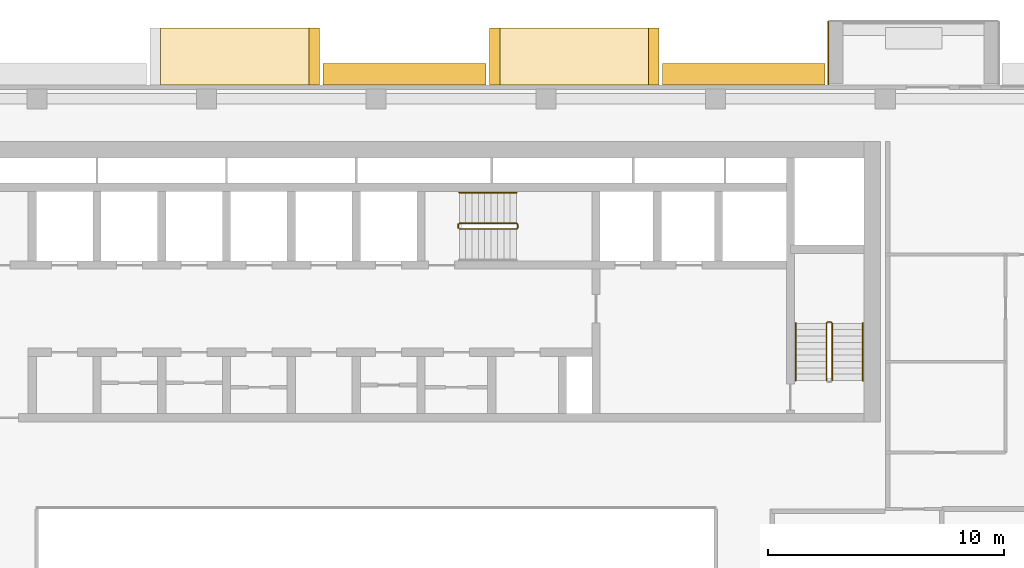
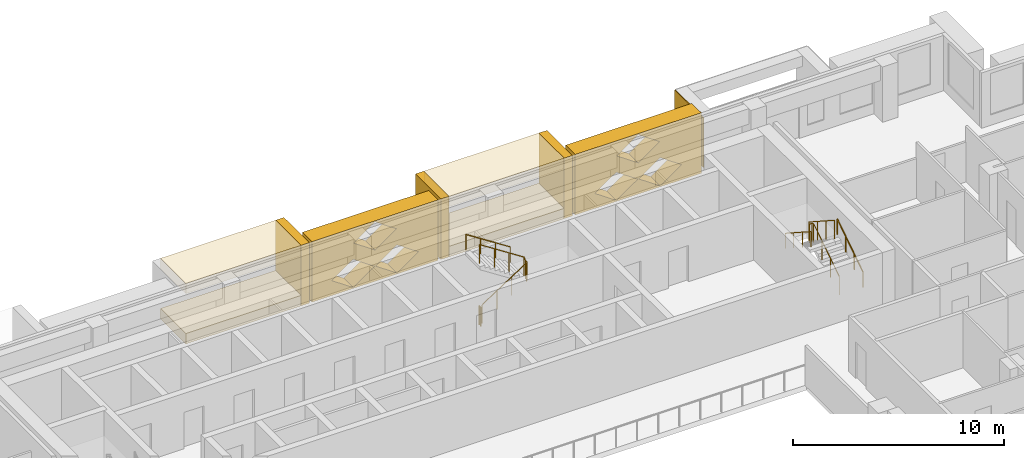
# One storey, part 19 of 20: 10 coverings, 6 railings.
"""IFC4 building model written with IfcOpenShell, lengths in metres."""

from ifc_helpers import new_model, si_unit, direction, frame, origin, origin_2d, place, context, subcontext, project, spatial, polyline, circle, outline, extrude, material, layer, layer_set, type_object, element, save


model = new_model("IFC4")

# Units and contexts
model_context = context("Model", 3, precision=1e-05, world=origin(), true_north=direction((0.0, 1.0)))
body_context = subcontext(model_context, "Body", "Model", "MODEL_VIEW")
ifc_project = project(units=[si_unit("LENGTHUNIT", "METRE"), si_unit("AREAUNIT", "SQUARE_METRE"), si_unit("VOLUMEUNIT", "CUBIC_METRE"), si_unit("PLANEANGLEUNIT", "RADIAN"), si_unit("MASSUNIT", "GRAM", prefix="KILO")], contexts=[model_context])

# Site, building, storey
site_placement = place(None, origin())
site = spatial("IfcSite", under=ifc_project, at=site_placement, CompositionType="ELEMENT")
building_placement = place(site_placement, origin())
building = spatial("IfcBuilding", under=site, at=building_placement, Name="Saffron Iwan Residences", CompositionType="ELEMENT")
storey_placement = place(building_placement, frame((0.0, 0.0, 164.0)))
storey = spatial("IfcBuildingStorey", under=building, at=storey_placement, Name="L43", CompositionType="ELEMENT", Elevation=164.0)

# Coverings
ifc_material_1 = material(Name="Precast concrete C40/50 white painted", Category="concrete")
ifc_layer = layer(ifc_material_1, 0.050048828125)
ifc_layer_set = layer_set([ifc_layer], Name="Precast concrete C40/50 white painted")
covering_type_1 = type_object("IfcCoveringType", Name="FRAME SKIN PRECAST WHITE 50", PredefinedType="CLADDING", material=ifc_layer_set)
covering_1_placement = place(storey_placement, origin())
element("IfcCovering", 1, at=covering_1_placement, inside=storey, type_object=covering_type_1, Name="Frame skin fin L43 F5-0b", PredefinedType="CLADDING", context=body_context, shape_type="SweptSolid", body=[
    extrude(outline(polyline([(69.60009765625, 83.10009765625), (69.550048828125, 83.10009765625), (69.550048828125, 80.39990234375), (69.60009765625, 80.39990234375), (69.60009765625, 83.10009765625)])), origin(), (0.0, 0.0, 1.0), 2.85009765625),
])
ifc_material_2 = material(Name="Precast concrete C40/50", Category="concrete")
covering_type_2 = type_object("IfcCoveringType", Name="OUTER SKIN LATTICE SCREEN", PredefinedType="CLADDING", material=ifc_material_2)
for number, where, z_axis, x_axis, name in (
    (2, (69.449951171875, 80.39990234375, -0.300048828125), (0.0, 1.0, 0.0), (-1.0, 0.0, 0.0), "OUTER SKIN lattice screen L43 F5.1"),
    (3, (55.050048828125, 80.39990234375, -0.300048828125), (0.0, 1.0, 0.0), (-1.0, 0.0, 0.0), "OUTER SKIN lattice screen L43 F5.2"),
):
    element("IfcCovering", number, at=place(storey_placement, frame(where, z_axis=z_axis, x_axis=x_axis)), inside=storey, type_object=covering_type_2, Name=name, PredefinedType="CLADDING", context=body_context, shape_type="SweptSolid", body=[
        extrude(outline(polyline([(0.0, 0.0), (6.89990234375, 0.0), (6.89990234375, 3.5), (0.0, 3.5), (0.0, 0.0)]), holes=[polyline([(1.070068359375, 0.875), (2.25, 0.06005859375), (3.429931640625, 0.875), (2.25, 1.68994140625), (1.070068359375, 0.875)]), polyline([(3.469970703125, 0.875), (4.64990234375, 0.06005859375), (5.830078125, 0.875), (4.64990234375, 1.68994140625), (3.469970703125, 0.875)]), polyline([(2.27001953125, 2.625), (3.449951171875, 1.81005859375), (4.6298828125, 2.625), (3.449951171875, 3.43994140625), (2.27001953125, 2.625)])]), origin(), (0.0, 0.0, 1.0), 0.900146484375),
    ])

# Railings
ifc_material_3 = material(Name="Steel S355", Category="steel")
railing_type_1 = type_object("IfcRailingType", Name="Stair guard 1100", PredefinedType="GUARDRAIL", material=ifc_material_3)
railing_1_placement = place(storey_placement, frame((53.925048828125, 74.27490234375, 0.175048828125)))
element("IfcRailing", 4, at=railing_1_placement, inside=storey, type_object=railing_type_1, Name="L43 ST-C stair guard 1", PredefinedType="GUARDRAIL", context=body_context, shape_type="SweptSolid", body=[
    extrude(circle(Radius=0.02392578125, at=origin_2d()), frame((0.0, 0.0, 1.076171875), z_axis=(0.839153699163, 0.0, 0.543894354798), x_axis=(0.0, 1.0, 0.0)), (0.0, 0.0, 1.0), 2.895751953125),
    extrude(circle(Radius=0.02392578125, at=origin_2d()), frame((2.429931640625, 0.0, 2.65087890625), z_axis=(0.707106781187, 0.707106781187, 0.0), x_axis=(-0.707106781187, 0.707106781187, 0.0)), (0.0, 0.0, 1.0), 0.07080078125),
    extrude(circle(Radius=0.02392578125, at=origin_2d()), frame((2.47998046875, 0.050048828125, 2.65087890625), z_axis=(0.0, 1.0, 0.0), x_axis=(-1.0, 0.0, 0.0)), (0.0, 0.0, 1.0), 0.150146484375),
    extrude(circle(Radius=0.02392578125, at=origin_2d()), frame((2.47998046875, 0.2001953125, 2.65087890625), z_axis=(-0.265155923931, 0.263862480399, 0.927399011991), x_axis=(-0.705375805398, -0.708833529934, 0.0)), (0.0, 0.0, 1.0), 0.188720703125),
    extrude(circle(Radius=0.02392578125, at=origin_2d()), frame((2.429931640625, 0.25, 2.826171875), z_axis=(-0.839153699163, 0.0, 0.543894354798), x_axis=(0.0, -1.0, 0.0)), (0.0, 0.0, 1.0), 2.895751953125),
    extrude(circle(Radius=0.02099609375, at=origin_2d()), origin(), (0.0, 0.0, 1.0), 1.052001953125),
    extrude(circle(Radius=0.02099609375, at=origin_2d()), frame((0.81005859375, 0.0, 0.52490234375)), (0.0, 0.0, 1.0), 1.052001953125),
    extrude(circle(Radius=0.02099609375, at=origin_2d()), frame((1.619873046875, 0.0, 1.050048828125)), (0.0, 0.0, 1.0), 1.052001953125),
    extrude(circle(Radius=0.02099609375, at=origin_2d()), frame((2.429931640625, 0.0, 1.574951171875)), (0.0, 0.0, 1.0), 1.052001953125),
    extrude(circle(Radius=0.02099609375, at=origin_2d()), frame((2.47998046875, 0.050048828125, 1.574951171875)), (0.0, 0.0, 1.0), 1.052001953125),
    extrude(circle(Radius=0.02099609375, at=origin_2d()), frame((2.47998046875, 0.2001953125, 1.574951171875)), (0.0, 0.0, 1.0), 1.052001953125),
    extrude(circle(Radius=0.02099609375, at=origin_2d()), frame((2.429931640625, 0.25, 1.75)), (0.0, 0.0, 1.0), 1.052001953125),
    extrude(circle(Radius=0.02099609375, at=origin_2d()), frame((1.619873046875, 0.25, 2.27490234375)), (0.0, 0.0, 1.0), 1.052001953125),
    extrude(circle(Radius=0.02099609375, at=origin_2d()), frame((0.81005859375, 0.25, 2.800048828125)), (0.0, 0.0, 1.0), 1.052001953125),
    extrude(circle(Radius=0.02099609375, at=origin_2d()), frame((0.0, 0.25, 3.324951171875)), (0.0, 0.0, 1.0), 1.052001953125),
])
railing_2_placement = place(storey_placement, frame((53.875, 74.324951171875, 0.0)))
element("IfcRailing", 5, at=railing_2_placement, inside=storey, type_object=railing_type_1, Name="L43 ST-C stair guard 2", PredefinedType="GUARDRAIL", context=body_context, shape_type="SweptSolid", body=[
    extrude(circle(Radius=0.02392578125, at=origin_2d()), frame((0.0, 0.0, 1.076171875), z_axis=(0.0, 1.0, 0.0), x_axis=(-1.0, 0.0, 0.0)), (0.0, 0.0, 1.0), 0.150146484375),
    extrude(circle(Radius=0.02099609375, at=origin_2d()), origin(), (0.0, 0.0, 1.0), 1.052001953125),
    extrude(circle(Radius=0.02099609375, at=origin_2d()), frame((0.0, 0.150146484375, 0.0)), (0.0, 0.0, 1.0), 1.052001953125),
])
railing_3_placement = place(storey_placement, frame((69.75, 67.85009765625, 0.175048828125)))
element("IfcRailing", 6, at=railing_3_placement, inside=storey, type_object=railing_type_1, Name="L43 ST-E stair guard 1", PredefinedType="GUARDRAIL", context=body_context, shape_type="SweptSolid", body=[
    extrude(circle(Radius=0.02392578125, at=origin_2d()), frame((0.0, 0.0, 1.076171875), z_axis=(0.0, 0.839153699163, 0.543894354798), x_axis=(-1.0, 0.0, 0.0)), (0.0, 0.0, 1.0), 2.895751953125),
    extrude(circle(Radius=0.02392578125, at=origin_2d()), frame((0.0, 2.429931640625, 2.65087890625), z_axis=(-0.707106781187, 0.707106781187, 0.0), x_axis=(-0.707106781187, -0.707106781187, 0.0)), (0.0, 0.0, 1.0), 0.07080078125),
    extrude(circle(Radius=0.02392578125, at=origin_2d()), frame((-0.050048828125, 2.47998046875, 2.65087890625), z_axis=(-1.0, 0.0, 0.0), x_axis=(0.0, -1.0, 0.0)), (0.0, 0.0, 1.0), 0.14990234375),
    extrude(circle(Radius=0.02392578125, at=origin_2d()), frame((-0.199951171875, 2.47998046875, 2.65087890625), z_axis=(-0.265065253269, -0.265065253269, 0.927081885822), x_axis=(0.707106781187, -0.707106781187, 0.0)), (0.0, 0.0, 1.0), 0.188720703125),
    extrude(circle(Radius=0.02392578125, at=origin_2d()), frame((-0.25, 2.429931640625, 2.826171875), z_axis=(0.0, -0.839153699163, 0.543894354798), x_axis=(1.0, 0.0, 0.0)), (0.0, 0.0, 1.0), 2.895751953125),
    extrude(circle(Radius=0.02099609375, at=origin_2d()), origin(), (0.0, 0.0, 1.0), 1.052001953125),
    extrude(circle(Radius=0.02099609375, at=origin_2d()), frame((0.0, 0.81005859375, 0.52490234375)), (0.0, 0.0, 1.0), 1.052001953125),
    extrude(circle(Radius=0.02099609375, at=origin_2d()), frame((0.0, 1.619873046875, 1.050048828125)), (0.0, 0.0, 1.0), 1.052001953125),
    extrude(circle(Radius=0.02099609375, at=origin_2d()), frame((0.0, 2.429931640625, 1.574951171875)), (0.0, 0.0, 1.0), 1.052001953125),
    extrude(circle(Radius=0.02099609375, at=origin_2d()), frame((-0.050048828125, 2.47998046875, 1.574951171875)), (0.0, 0.0, 1.0), 1.052001953125),
    extrude(circle(Radius=0.02099609375, at=origin_2d()), frame((-0.199951171875, 2.47998046875, 1.574951171875)), (0.0, 0.0, 1.0), 1.052001953125),
    extrude(circle(Radius=0.02099609375, at=origin_2d()), frame((-0.25, 2.429931640625, 1.75)), (0.0, 0.0, 1.0), 1.052001953125),
    extrude(circle(Radius=0.02099609375, at=origin_2d()), frame((-0.25, 1.619873046875, 2.27490234375)), (0.0, 0.0, 1.0), 1.052001953125),
    extrude(circle(Radius=0.02099609375, at=origin_2d()), frame((-0.25, 0.81005859375, 2.800048828125)), (0.0, 0.0, 1.0), 1.052001953125),
    extrude(circle(Radius=0.02099609375, at=origin_2d()), frame((-0.25, 0.0, 3.324951171875)), (0.0, 0.0, 1.0), 1.052001953125),
])
ifc_material_4 = material(Name="Stainless steel 316", Category="steel")
railing_type_2 = type_object("IfcRailingType", Name="Stair handrail 900", PredefinedType="HANDRAIL", material=ifc_material_4)
railing_4_placement = place(storey_placement, frame((56.35498046875, 75.824951171875, 1.925048828125)))
element("IfcRailing", 7, at=railing_4_placement, inside=storey, type_object=railing_type_2, Name="L43 ST-C stair handrail 2", PredefinedType="HANDRAIL", context=body_context, shape_type="SweptSolid", body=[
    extrude(circle(Radius=0.02392578125, at=origin_2d()), frame((0.0, 0.0, 0.8759765625), z_axis=(-0.839153699163, 0.0, 0.543894354798), x_axis=(0.0, -1.0, 0.0)), (0.0, 0.0, 1.0), 2.895751953125),
    extrude(circle(Radius=0.02099609375, at=origin_2d()), origin(), (0.0, 0.0, 1.0), 0.851806640625),
    extrude(circle(Radius=0.02099609375, at=origin_2d()), frame((-0.81005859375, 0.0, 0.52490234375)), (0.0, 0.0, 1.0), 0.851806640625),
    extrude(circle(Radius=0.02099609375, at=origin_2d()), frame((-1.619873046875, 0.0, 1.050048828125)), (0.0, 0.0, 1.0), 0.851806640625),
    extrude(circle(Radius=0.02099609375, at=origin_2d()), frame((-2.429931640625, 0.0, 1.574951171875)), (0.0, 0.0, 1.0), 0.851806640625),
])
railing_5_placement = place(storey_placement, frame((71.050048828125, 67.85009765625, 0.175048828125)))
element("IfcRailing", 8, at=railing_5_placement, inside=storey, type_object=railing_type_2, Name="L43 ST-E stair handrail 1", PredefinedType="HANDRAIL", context=body_context, shape_type="SweptSolid", body=[
    extrude(circle(Radius=0.02392578125, at=origin_2d()), frame((0.0, 0.0, 0.8759765625), z_axis=(0.0, 0.839153699163, 0.543894354798), x_axis=(-1.0, 0.0, 0.0)), (0.0, 0.0, 1.0), 2.895751953125),
    extrude(circle(Radius=0.02099609375, at=origin_2d()), origin(), (0.0, 0.0, 1.0), 0.851806640625),
    extrude(circle(Radius=0.02099609375, at=origin_2d()), frame((0.0, 0.81005859375, 0.52490234375)), (0.0, 0.0, 1.0), 0.851806640625),
    extrude(circle(Radius=0.02099609375, at=origin_2d()), frame((0.0, 1.619873046875, 1.050048828125)), (0.0, 0.0, 1.0), 0.851806640625),
    extrude(circle(Radius=0.02099609375, at=origin_2d()), frame((0.0, 2.429931640625, 1.574951171875)), (0.0, 0.0, 1.0), 0.851806640625),
])
railing_6_placement = place(storey_placement, frame((68.199951171875, 70.280029296875, 1.925048828125)))
element("IfcRailing", 9, at=railing_6_placement, inside=storey, type_object=railing_type_2, Name="L43 ST-E stair handrail 2", PredefinedType="HANDRAIL", context=body_context, shape_type="SweptSolid", body=[
    extrude(circle(Radius=0.02392578125, at=origin_2d()), frame((0.0, 0.0, 0.8759765625), z_axis=(0.0, -0.839153699163, 0.543894354798), x_axis=(1.0, 0.0, 0.0)), (0.0, 0.0, 1.0), 2.895751953125),
    extrude(circle(Radius=0.02099609375, at=origin_2d()), origin(), (0.0, 0.0, 1.0), 0.851806640625),
    extrude(circle(Radius=0.02099609375, at=origin_2d()), frame((0.0, -0.81005859375, 0.52490234375)), (0.0, 0.0, 1.0), 0.851806640625),
    extrude(circle(Radius=0.02099609375, at=origin_2d()), frame((0.0, -1.619873046875, 1.050048828125)), (0.0, 0.0, 1.0), 0.851806640625),
    extrude(circle(Radius=0.02099609375, at=origin_2d()), frame((0.0, -2.429931640625, 1.574951171875)), (0.0, 0.0, 1.0), 0.851806640625),
])

# Coverings
covering_type_3 = type_object("IfcCoveringType", Name="WHITE SUN FRAME PRECAST", PredefinedType="CLADDING", material=ifc_material_1)
for number, where, z_axis, x_axis, name in (
    (10, (62.39990234375, 80.39990234375, -0.300048828125), (0.0, 1.0, 0.0), (-1.0, 0.0, 0.0), "Sun frame L43 F5 20.4a"),
    (11, (55.64990234375, 80.39990234375, -0.300048828125), (0.0, 1.0, 0.0), (-1.0, 0.0, 0.0), "Sun frame L43 F5 20.4b"),
):
    element("IfcCovering", number, at=place(storey_placement, frame(where, z_axis=z_axis, x_axis=x_axis)), inside=storey, type_object=covering_type_3, Name=name, PredefinedType="CLADDING", context=body_context, shape_type="SweptSolid", body=[
        extrude(outline(polyline([(0.0, 0.0), (0.449951171875, 0.0), (0.449951171875, 3.5), (0.0, 3.5), (0.0, 0.0)])), origin(), (0.0, 0.0, 1.0), 2.400146484375),
    ])
for number, where, z_axis, x_axis, name in (
    (12, (61.949951171875, 80.39990234375, 2.60009765625), (0.0, 1.0, 0.0), (-1.0, 0.0, 0.0), "Sun frame L43 F5 20.4h"),
    (13, (61.949951171875, 80.39990234375, -0.300048828125), (0.0, 1.0, 0.0), (-1.0, 0.0, 0.0), "Sun frame L43 F5 20.4s"),
):
    element("IfcCovering", number, at=place(storey_placement, frame(where, z_axis=z_axis, x_axis=x_axis)), inside=storey, type_object=covering_type_3, Name=name, PredefinedType="CLADDING", context=body_context, shape_type="SweptSolid", body=[
        extrude(outline(polyline([(0.0, 0.0), (6.300048828125, 0.0), (6.300048828125, 0.60009765625), (0.0, 0.60009765625), (0.0, 0.0)])), origin(), (0.0, 0.0, 1.0), 2.400146484375),
    ])
covering_2_placement = place(storey_placement, frame((48.0, 80.39990234375, -0.300048828125), z_axis=(0.0, 1.0, 0.0), x_axis=(-1.0, 0.0, 0.0)))
element("IfcCovering", 14, at=covering_2_placement, inside=storey, type_object=covering_type_3, Name="Sun frame L43 F5 34.8a", PredefinedType="CLADDING", context=body_context, shape_type="SweptSolid", body=[
    extrude(outline(polyline([(0.0, 0.0), (0.449951171875, 0.0), (0.449951171875, 3.5), (0.0, 3.5), (0.0, 0.0)])), origin(), (0.0, 0.0, 1.0), 2.400146484375),
])
for number, where, z_axis, x_axis, name in (
    (15, (47.550048828125, 80.39990234375, 2.60009765625), (0.0, 1.0, 0.0), (-1.0, 0.0, 0.0), "Sun frame L43 F5 34.8h"),
    (16, (47.550048828125, 80.39990234375, -0.300048828125), (0.0, 1.0, 0.0), (-1.0, 0.0, 0.0), "Sun frame L43 F5 34.8s"),
):
    element("IfcCovering", number, at=place(storey_placement, frame(where, z_axis=z_axis, x_axis=x_axis)), inside=storey, type_object=covering_type_3, Name=name, PredefinedType="CLADDING", context=body_context, shape_type="SweptSolid", body=[
        extrude(outline(polyline([(0.0, 0.0), (6.300048828125, 0.0), (6.300048828125, 0.60009765625), (0.0, 0.60009765625), (0.0, 0.0)])), origin(), (0.0, 0.0, 1.0), 2.400146484375),
    ])

save(model, "model.ifc")
